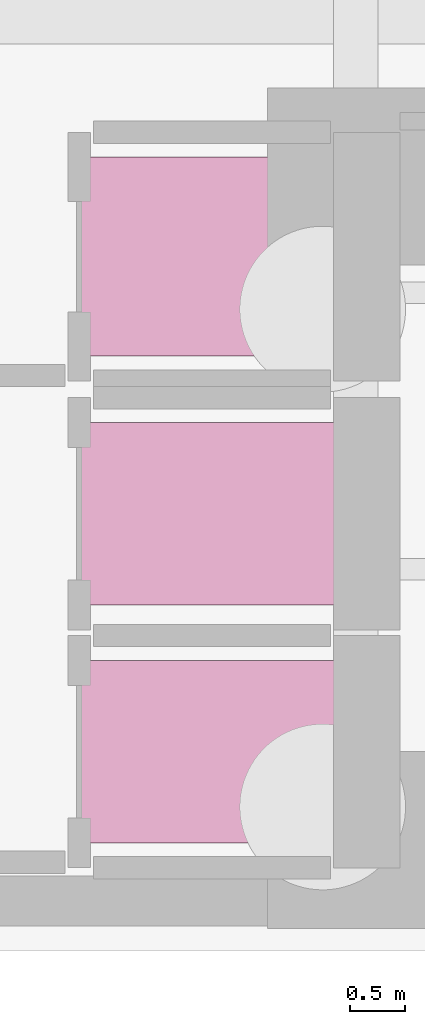
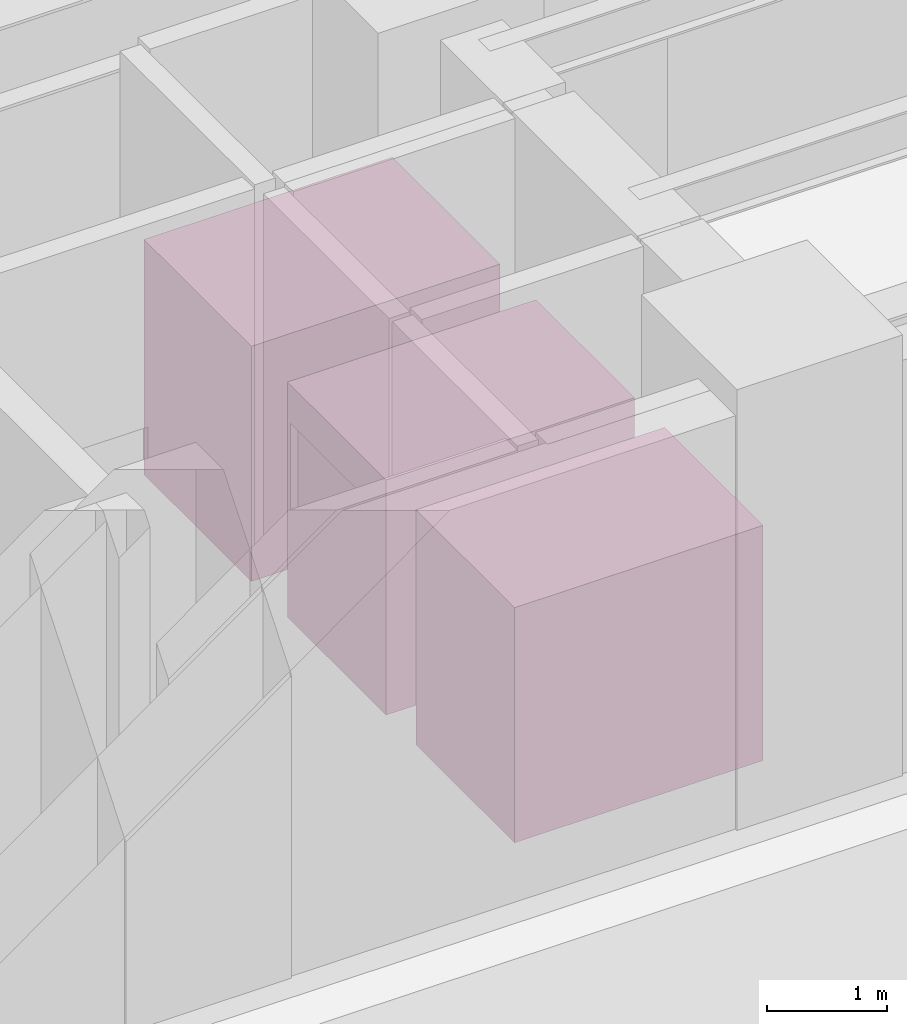
# One storey, part 10 of 10: 3 transport elements.
"""IFC4 building model written with IfcOpenShell, lengths in metres."""

from ifc_helpers import new_model, si_unit, direction, frame, origin, origin_2d, place, context, subcontext, project, spatial, rectangle, extrude, material, type_object, element, save


model = new_model("IFC4")

# Units and contexts
model_context = context("Model", 3, precision=1e-05, world=origin(), true_north=direction((0.0, 1.0)))
body_context = subcontext(model_context, "Body", "Model", "MODEL_VIEW")
ifc_project = project(units=[si_unit("LENGTHUNIT", "METRE"), si_unit("AREAUNIT", "SQUARE_METRE"), si_unit("VOLUMEUNIT", "CUBIC_METRE"), si_unit("PLANEANGLEUNIT", "RADIAN"), si_unit("MASSUNIT", "GRAM", prefix="KILO")], contexts=[model_context])

# Site, building, storey
site_placement = place(None, origin())
site = spatial("IfcSite", under=ifc_project, at=site_placement, CompositionType="ELEMENT")
building_placement = place(site_placement, origin())
building = spatial("IfcBuilding", under=site, at=building_placement, Name="Mawjaban Terraces University", CompositionType="ELEMENT")
storey_placement = place(building_placement, frame((0.0, 0.0, -9.0)))
storey = spatial("IfcBuildingStorey", under=building, at=storey_placement, Name="B2", CompositionType="ELEMENT", Elevation=-9.0)

# Transport elements
ifc_material = material(Name="Stainless steel 304 cab assembly", Category="steel")
transport_element_type_1 = type_object("IfcTransportElementType", Name="FireServiceLiftCar_1800kg", PredefinedType="ELEVATOR", material=ifc_material)
for number, where, z_axis, x_axis, name in (
    (1, (36.35009765625, 1.35009765625, 0.0), (0.0, 0.0, 1.0), (1.0, 0.0, 0.0), "Elevator Car FL-1"),
    (2, (36.35009765625, 3.5, 0.0), (0.0, 0.0, 1.0), (1.0, 0.0, 0.0), "Elevator Car FL-2"),
):
    element("IfcTransportElement", number, at=place(storey_placement, frame(where, z_axis=z_axis, x_axis=x_axis)), inside=storey, type_object=transport_element_type_1, Name=name, PredefinedType="ELEVATOR", context=body_context, shape_type="SweptSolid", body=[
        extrude(rectangle(XDim=2.39990234375, YDim=1.64990234375, at=origin_2d()), origin(), (0.0, 0.0, 1.0), 2.39990234375),
    ])
transport_element_type_2 = type_object("IfcTransportElementType", Name="ServiceGoodsLiftCar_2500kg", PredefinedType="ELEVATOR", material=ifc_material)
transport_element_placement = place(storey_placement, frame((36.35009765625, 5.824951171875, 0.0), z_axis=(0.0, 0.0, 1.0), x_axis=(1.0, 0.0, 0.0)))
element("IfcTransportElement", 3, at=transport_element_placement, inside=storey, type_object=transport_element_type_2, Name="Elevator Car SL-1", PredefinedType="ELEVATOR", context=body_context, shape_type="SweptSolid", body=[
    extrude(rectangle(XDim=2.39990234375, YDim=1.800048828125, at=origin_2d()), origin(), (0.0, 0.0, 1.0), 2.39990234375),
])

save(model, "model.ifc")
